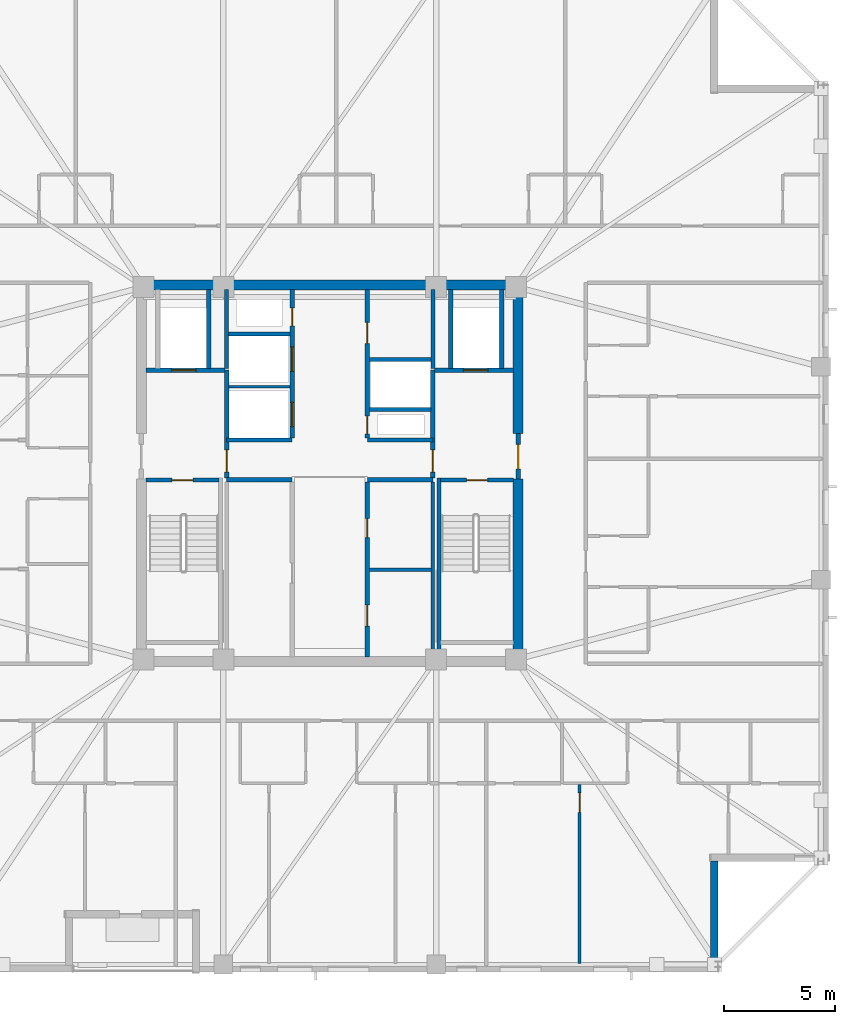
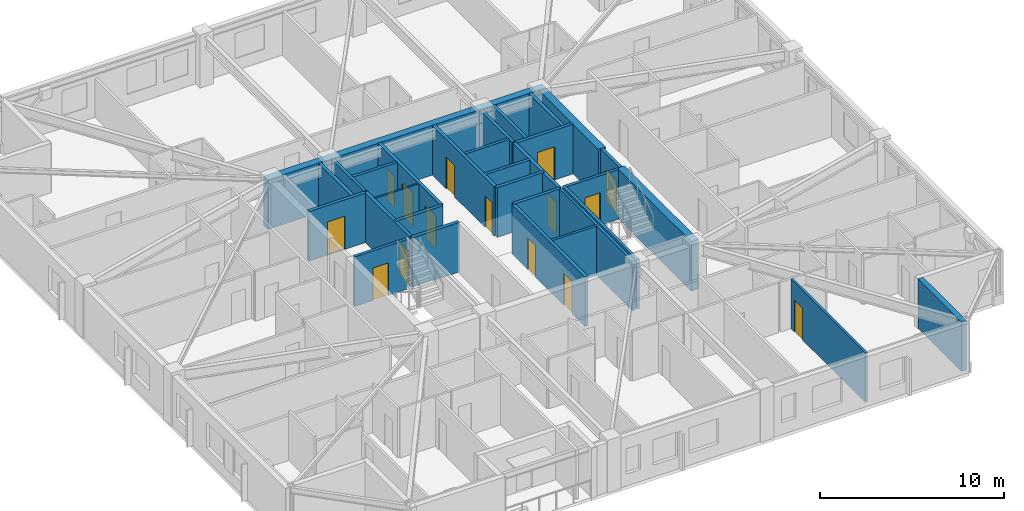
# One storey, part 9 of 17: 31 walls, 15 doors, 15 openings.
"""IFC4 building model written with IfcOpenShell, lengths in metres."""

import ifcopenshell
import ifcopenshell.guid

model = None  # the IFC model being written
_history = None  # IfcOwnerHistory: only IFC2X3 demands one
_inside = {}  # id of a spatial element -> (the spatial element, [elements in it])
_under = {}  # id of a project, library or spatial element -> (it, [spatial elements below it])
_declared = {}  # id of a project -> (the project, [libraries it declares])
_typed = {}  # id of a type object -> (the type object, [elements of that type])
_made_of = {}  # id of a material, layer set ... -> (it, [elements and type objects made of it])


def new_model(schema):
    """Start an empty IFC model of exactly this schema.

    Asked for "IFC4X3", IfcOpenShell would pick the latest addendum, in which some entities
    have other attributes; the version numbers below select the first issue.
    IFC2X3 requires an IfcOwnerHistory on every rooted entity: one is made here for all.
    """
    global model, _history
    if schema == "IFC4X3":
        model = ifcopenshell.file(schema_version=(4, 3, 0, 0))
    else:
        model = ifcopenshell.file(schema=schema)
    _inside.clear()
    _under.clear()
    _declared.clear()
    _typed.clear()
    _made_of.clear()
    _history = None
    if model.schema == "IFC2X3":
        org = make("IfcOrganization", Name="unknown")
        user = make(
            "IfcPersonAndOrganization",
            ThePerson=make("IfcPerson", FamilyName="unknown"),
            TheOrganization=org,
        )
        app = make(
            "IfcApplication",
            ApplicationDeveloper=org,
            Version="unknown",
            ApplicationFullName="unknown",
            ApplicationIdentifier="unknown",
        )
        _history = make(
            "IfcOwnerHistory",
            OwningUser=user,
            OwningApplication=app,
            ChangeAction="ADDED",
            CreationDate=0,
        )
    return model


def make(cls, **values):
    """One entity of the class cls with the attributes given. An attribute that is None is left unset."""
    return model.create_entity(
        cls, **{name: value for name, value in values.items() if value is not None}
    )


def rooted(cls, **values):
    """An entity with a GlobalId (a new one), such as an element, a storey or a relation."""
    return make(cls, GlobalId=ifcopenshell.guid.new(), OwnerHistory=_history, **values)


def si_unit(unit_type, name, prefix=None):
    """IfcSIUnit, for example si_unit("LENGTHUNIT", "METRE", prefix="MILLI")."""
    return make("IfcSIUnit", UnitType=unit_type, Prefix=prefix, Name=name)


def assignment(units):
    """IfcUnitAssignment: the units of a project."""
    return None if units is None else make("IfcUnitAssignment", Units=units)


def point(xyz):
    """IfcCartesianPoint."""
    return None if xyz is None else make("IfcCartesianPoint", Coordinates=xyz)


def direction(xyz):
    """IfcDirection."""
    return None if xyz is None else make("IfcDirection", DirectionRatios=xyz)


def frame(location, z_axis=None, x_axis=None):
    """IfcAxis2Placement3D, a coordinate frame: its origin and axes. An axis left out is left unset."""
    return make(
        "IfcAxis2Placement3D",
        Location=point(location),
        Axis=direction(z_axis),
        RefDirection=direction(x_axis),
    )


def frame_2d(location, x_axis=None):
    """IfcAxis2Placement2D, a coordinate frame in the plane: its origin and x axis."""
    return make(
        "IfcAxis2Placement2D", Location=point(location), RefDirection=direction(x_axis)
    )


def origin():
    """The frame at (0, 0, 0) with its axes left unset."""
    return frame((0.0, 0.0, 0.0))


def place(relative_to, where):
    """IfcLocalPlacement: puts the frame where relative to a parent placement (None: the world)."""
    return make(
        "IfcLocalPlacement", PlacementRelTo=relative_to, RelativePlacement=where
    )


def context(
    kind, dimensions, precision=None, world=None, true_north=None, identifier=None
):
    """IfcGeometricRepresentationContext, for example the 3D "Model" context."""
    return make(
        "IfcGeometricRepresentationContext",
        ContextIdentifier=identifier,
        ContextType=kind,
        CoordinateSpaceDimension=dimensions,
        Precision=precision,
        WorldCoordinateSystem=world,
        TrueNorth=true_north,
    )


def subcontext(parent, identifier, kind, view, scale=None):
    """IfcGeometricRepresentationSubContext, for example "Body" below "Model"."""
    return make(
        "IfcGeometricRepresentationSubContext",
        ContextIdentifier=identifier,
        ContextType=kind,
        ParentContext=parent,
        TargetScale=scale,
        TargetView=view,
    )


def project(units=None, contexts=None):
    """IfcProject with its units and contexts."""
    return rooted(
        "IfcProject",
        Name="project",
        RepresentationContexts=contexts,
        UnitsInContext=assignment(units),
    )


def spatial(cls, under=None, at=None, **own):
    """A site, building, storey or space (cls), placed at a placement, below another one or the project."""
    s = rooted(cls, ObjectPlacement=at, **own)
    if under is not None:
        _under.setdefault(under.id(), (under, []))[1].append(s)
    return s


def profile(cls, at=None, kind="AREA", **sizes):
    """A parametric profile (cls). Its sizes go by their IFC names, for example OverallWidth=200.0."""
    return make(cls, ProfileType=kind, Position=at, **sizes)


def rectangle(**sizes):
    """IfcRectangleProfileDef."""
    return profile("IfcRectangleProfileDef", **sizes)


def extrude(swept, where, along, depth):
    """IfcExtrudedAreaSolid: the profile swept, set in the frame where, extruded along a direction by depth."""
    return make(
        "IfcExtrudedAreaSolid",
        SweptArea=swept,
        Position=where,
        ExtrudedDirection=direction(along),
        Depth=depth,
    )


def shape(context_of_items, identifier, shape_type, items):
    """IfcShapeRepresentation: the items that make up one representation, for example the "Body"."""
    return make(
        "IfcShapeRepresentation",
        ContextOfItems=context_of_items,
        RepresentationIdentifier=identifier,
        RepresentationType=shape_type,
        Items=items,
    )


def material(Name=None, Category=None):
    """IfcMaterial."""
    return make("IfcMaterial", Name=Name, Category=Category)


def layer(
    of_material, thickness, ventilated=None, Name=None, Category=None, Priority=None
):
    """IfcMaterialLayer: one layer of a wall or slab, of a material (None: an air gap)."""
    return make(
        "IfcMaterialLayer",
        Material=of_material,
        LayerThickness=thickness,
        IsVentilated=ventilated,
        Name=Name,
        Category=Category,
        Priority=Priority,
    )


def layer_set(layers, Name=None):
    """IfcMaterialLayerSet."""
    return make("IfcMaterialLayerSet", MaterialLayers=layers, LayerSetName=Name)


def made_of(thing, what):
    """Note that an element or type object is made of a material, layer set ...; save() writes the relation."""
    if what is not None:
        _made_of.setdefault(what.id(), (what, []))[1].append(thing)
    return thing


def type_object(cls, material=None, **own):
    """A type object (cls), such as IfcWallType, which elements share."""
    return made_of(rooted(cls, **own), material)


def element(
    cls,
    number,
    at=None,
    inside=None,
    cuts=None,
    type_object=None,
    material=None,
    context=None,
    identifier="Body",
    shape_type=None,
    held_by="IfcProductDefinitionShape",
    body=None,
    shapes=None,
    **own,
):
    """One element of the class cls, such as IfcWall. Its Tag is "e" and its number.

    at: its placement. inside: the storey or other place that contains it. cuts: it is an
    opening in that element (IfcRelVoidsElement). A single representation is given by context,
    identifier, shape_type and body (its items); several are given by shapes. held_by: the class
    of the entity that holds the representations. save() writes the other relations.
    """
    e = rooted(cls, Tag="e%d" % number, ObjectPlacement=at, **own)
    if body is not None:
        shapes = [shape(context, identifier, shape_type, body)]
    if shapes is not None:
        e.Representation = make(held_by, Representations=shapes)
    if inside is not None:
        _inside.setdefault(inside.id(), (inside, []))[1].append(e)
    if cuts is not None:
        rooted(
            "IfcRelVoidsElement", RelatingBuildingElement=cuts, RelatedOpeningElement=e
        )
    if type_object is not None:
        _typed.setdefault(type_object.id(), (type_object, []))[1].append(e)
    return made_of(e, material)


def fill(opening, filler):
    """IfcRelFillsElement: the door or window that sits in an opening."""
    return rooted(
        "IfcRelFillsElement",
        RelatingOpeningElement=opening,
        RelatedBuildingElement=filler,
    )


def aggregate(whole, parts):
    """IfcRelAggregates: a whole, such as a stair, and the parts it consists of."""
    return rooted("IfcRelAggregates", RelatingObject=whole, RelatedObjects=parts)


def save(model, path):
    """Write the relations noted so far, then the file.

    IfcRelAggregates (storeys below a building ...), IfcRelContainedInSpatialStructure (elements
    in a storey), IfcRelDefinesByType, IfcRelAssociatesMaterial and IfcRelDeclares: one each for
    every whole, place, type object, material and project.
    """
    for whole, parts in _under.values():
        aggregate(whole, parts)
    for where, things in _inside.values():
        rooted(
            "IfcRelContainedInSpatialStructure",
            RelatedElements=things,
            RelatingStructure=where,
        )
    for kind, things in _typed.values():
        rooted("IfcRelDefinesByType", RelatedObjects=things, RelatingType=kind)
    for what, things in _made_of.values():
        rooted("IfcRelAssociatesMaterial", RelatedObjects=things, RelatingMaterial=what)
    for by, libraries in _declared.values():
        rooted("IfcRelDeclares", RelatingContext=by, RelatedDefinitions=libraries)
    model.write(path)


model = new_model("IFC4")

# Units and contexts
model_context = context("Model", 3, precision=1e-05, world=origin(), true_north=direction((0.0, 1.0)))
body_context = subcontext(model_context, "Body", "Model", "MODEL_VIEW")
ifc_project = project(units=[si_unit("LENGTHUNIT", "METRE"), si_unit("AREAUNIT", "SQUARE_METRE"), si_unit("VOLUMEUNIT", "CUBIC_METRE"), si_unit("PLANEANGLEUNIT", "RADIAN"), si_unit("MASSUNIT", "GRAM", prefix="KILO")], contexts=[model_context])

# Site, building, storey
site_placement = place(None, origin())
site = spatial("IfcSite", under=ifc_project, at=site_placement, CompositionType="ELEMENT")
building_placement = place(site_placement, origin())
building = spatial("IfcBuilding", under=site, at=building_placement, Name="Cairnveth Concourse Tower", CompositionType="ELEMENT")
storey_placement = place(building_placement, frame((0.0, 0.0, 262.0)))
storey = spatial("IfcBuildingStorey", under=building, at=storey_placement, Name="L72", CompositionType="ELEMENT", Elevation=262.0)

# Walls
ifc_material_1 = material(Name="Gypsum Plasterboard Partition", Category="gypsum")
ifc_layer_1 = layer(ifc_material_1, 0.159912109375)
ifc_layer_set_1 = layer_set([ifc_layer_1], Name="Gypsum Plasterboard Partition")
wall_type_1 = type_object("IfcWallType", Name="ACOUSTIC PARTY WALL 180", PredefinedType="PARTITIONING", material=ifc_layer_set_1)
wall_1_placement = place(storey_placement, frame((56.64990234375, 30.7099609375, 0.0), z_axis=(0.0, 0.0, 1.0), x_axis=(0.0, 1.0, 0.0)))
element("IfcWall", 1, at=wall_1_placement, inside=storey, type_object=wall_type_1, Name="Interior Wall IW-L72-026", PredefinedType="PARTITIONING", context=body_context, shape_type="SweptSolid", body=[
    extrude(rectangle(XDim=7.905029296875, YDim=0.159912109375, at=frame_2d((3.95263671875, 0.0))), origin(), (0.0, 0.0, 1.0), 3.2900390625),
])
wall_2_placement = place(storey_placement, frame((53.784912109375, 34.64990234375, 0.0), z_axis=(0.0, 0.0, 1.0), x_axis=(1.0, 0.0, 0.0)))
element("IfcWall", 2, at=wall_2_placement, inside=storey, type_object=wall_type_1, Name="Interior Wall IW-L72-027", PredefinedType="PARTITIONING", context=body_context, shape_type="SweptSolid", body=[
    extrude(rectangle(XDim=2.800048828125, YDim=0.159912109375, at=frame_2d((1.39990234375, 0.0))), origin(), (0.0, 0.0, 1.0), 3.2900390625),
])
ifc_material_2 = material(Name="Concrete N65 (65 MPa)", Category="concrete")
ifc_layer_2 = layer(ifc_material_2, 0.449951171875)
ifc_layer_set_2 = layer_set([ifc_layer_2], Name="Concrete N65 (65 MPa)")
wall_type_2 = type_object("IfcWallType", Name="CORE SHEAR WALL 450", PredefinedType="SHEAR", material=ifc_layer_set_2)
wall_3_placement = place(storey_placement, frame((43.27490234375, 47.5, 0.0), z_axis=(0.0, 0.0, 1.0), x_axis=(1.0, 0.0, 0.0)))
element("IfcWall", 3, at=wall_3_placement, inside=storey, type_object=wall_type_2, Name="Core North Shear Wall L72", PredefinedType="SHEAR", context=body_context, shape_type="SweptSolid", body=[
    extrude(rectangle(XDim=17.4501953125, YDim=0.449951171875, at=frame_2d((8.72509765625, 0.0))), origin(), (0.0, 0.0, 1.0), 3.2900390625),
])
wall_4_placement = place(storey_placement, frame((60.5, 30.715087890625, 0.0), z_axis=(0.0, 0.0, 1.0), x_axis=(0.0, 1.0, 0.0)))
element("IfcWall", 4, at=wall_4_placement, inside=storey, type_object=wall_type_2, Name="Core East Shear Wall S L72", PredefinedType="SHEAR", context=body_context, shape_type="SweptSolid", body=[
    extrude(rectangle(XDim=8.034912109375, YDim=0.449951171875, at=frame_2d((4.017578125, 0.0))), origin(), (0.0, 0.0, 1.0), 3.2900390625),
])
wall_5_placement = place(storey_placement, frame((60.5, 40.800048828125, 0.0), z_axis=(0.0, 0.0, 1.0), x_axis=(0.0, 1.0, 0.0)))
element("IfcWall", 5, at=wall_5_placement, inside=storey, type_object=wall_type_2, Name="Core East Shear Wall N L72", PredefinedType="SHEAR", context=body_context, shape_type="SweptSolid", body=[
    extrude(rectangle(XDim=6.48486328125, YDim=0.449951171875, at=frame_2d((3.242431640625, 0.0))), origin(), (0.0, 0.0, 1.0), 3.2900390625),
])
ifc_material_3 = material(Name="Concrete N50 (50 MPa)", Category="concrete")
ifc_layer_3 = layer(ifc_material_3, 0.179931640625)
ifc_layer_set_3 = layer_set([ifc_layer_3], Name="Concrete N50 (50 MPa)")
wall_type_3 = type_object("IfcWallType", Name="FIRE SHAFT WALL 180", PredefinedType="SOLIDWALL", material=ifc_layer_set_3)
wall_6_placement = place(storey_placement, frame((47.35009765625, 43.735107421875, 0.0), z_axis=(0.0, 0.0, 1.0), x_axis=(0.0, 1.0, 0.0)))
element("IfcWall", 6, at=wall_6_placement, inside=storey, type_object=wall_type_3, Name="Interior Wall IW-L72-028", PredefinedType="SOLIDWALL", context=body_context, shape_type="SweptSolid", body=[
    extrude(rectangle(XDim=3.554931640625, YDim=0.179931640625, at=frame_2d((1.77734375, 0.0))), origin(), (0.0, 0.0, 1.0), 3.2900390625),
])
wall_7_placement = place(storey_placement, frame((47.425048828125, 45.280029296875, 0.0), z_axis=(0.0, 0.0, 1.0), x_axis=(1.0, 0.0, 0.0)))
element("IfcWall", 7, at=wall_7_placement, inside=storey, type_object=wall_type_3, Name="Interior Wall IW-L72-030", PredefinedType="SOLIDWALL", context=body_context, shape_type="SweptSolid", body=[
    extrude(rectangle(XDim=2.7900390625, YDim=0.179931640625, at=frame_2d((1.39501953125, 0.0))), origin(), (0.0, 0.0, 1.0), 3.2900390625),
])
wall_8_placement = place(storey_placement, frame((56.64990234375, 43.735107421875, 0.0), z_axis=(0.0, 0.0, 1.0), x_axis=(0.0, 1.0, 0.0)))
element("IfcWall", 8, at=wall_8_placement, inside=storey, type_object=wall_type_3, Name="Interior Wall IW-L72-031", PredefinedType="SOLIDWALL", context=body_context, shape_type="SweptSolid", body=[
    extrude(rectangle(XDim=3.554931640625, YDim=0.179931640625, at=frame_2d((1.77734375, 0.0))), origin(), (0.0, 0.0, 1.0), 3.2900390625),
])
wall_9_placement = place(storey_placement, frame((53.784912109375, 41.8798828125, 0.0), z_axis=(0.0, 0.0, 1.0), x_axis=(1.0, 0.0, 0.0)))
element("IfcWall", 9, at=wall_9_placement, inside=storey, type_object=wall_type_3, Name="Interior Wall IW-L72-032", PredefinedType="SOLIDWALL", context=body_context, shape_type="SweptSolid", body=[
    extrude(rectangle(XDim=2.780029296875, YDim=0.179931640625, at=frame_2d((1.39013671875, 0.0))), origin(), (0.0, 0.0, 1.0), 3.2900390625),
])
wall_10_placement = place(storey_placement, frame((53.784912109375, 44.1201171875, 0.0), z_axis=(0.0, 0.0, 1.0), x_axis=(1.0, 0.0, 0.0)))
element("IfcWall", 10, at=wall_10_placement, inside=storey, type_object=wall_type_3, Name="Interior Wall IW-L72-033", PredefinedType="SOLIDWALL", context=body_context, shape_type="SweptSolid", body=[
    extrude(rectangle(XDim=2.7900390625, YDim=0.179931640625, at=frame_2d((1.39501953125, 0.0))), origin(), (0.0, 0.0, 1.0), 3.2900390625),
])

# Wall, opening, door
wall_11_placement = place(storey_placement, frame((43.715087890625, 38.68994140625, 0.0), z_axis=(0.0, 0.0, 1.0), x_axis=(1.0, 0.0, 0.0)))
wall_11 = element("IfcWall", 11, at=wall_11_placement, inside=storey, type_object=wall_type_3, Name="Stair ST-1 Shaft Wall NEAR L72", PredefinedType="SOLIDWALL", context=body_context, shape_type="SweptSolid", body=[
    extrude(rectangle(XDim=3.280029296875, YDim=0.179931640625, at=frame_2d((1.64013671875, 0.0))), origin(), (0.0, 0.0, 1.0), 3.2900390625),
])
opening_1_placement = place(wall_11_placement, frame((1.1650390625, 0.0, 0.0)))
opening_1 = element("IfcOpeningElement", 12, at=opening_1_placement, cuts=wall_11, Name="Opening ID12", PredefinedType="OPENING", context=body_context, shape_type="SweptSolid", body=[
    extrude(rectangle(XDim=0.949951171875, YDim=2.14990234375, at=frame_2d((0.47509765625, 1.074951171875))), frame((0.0, 0.099853515625, 0.0), z_axis=(0.0, -1.0, 0.0), x_axis=(1.0, 0.0, 0.0)), (0.0, 0.0, 1.0), 0.199951171875),
])
ifc_material_4 = material(Name="Steel Grade 350", Category="steel")
door_type_1 = type_object("IfcDoorType", Name="FIRE STAIR DOOR 950X2150", OperationType="NOTDEFINED", PredefinedType="DOOR", material=ifc_material_4)
door_1_placement = place(opening_1_placement, origin())
door_1 = element("IfcDoor", 13, at=door_1_placement, inside=storey, type_object=door_type_1, Name="Stair ST-1 Fire Door L72", OperationType="SINGLE_SWING_LEFT", OverallHeight=2.14990234375, OverallWidth=0.949951171875, PredefinedType="DOOR", context=body_context, shape_type="SweptSolid", body=[
    extrude(rectangle(XDim=0.949951171875, YDim=2.14990234375, at=frame_2d((0.47509765625, 1.074951171875))), frame((0.0, 0.02490234375, 0.0), z_axis=(0.0, -1.0, 0.0), x_axis=(1.0, 0.0, 0.0)), (0.0, 0.0, 1.0), 0.050048828125),
])
fill(opening_1, door_1)

wall_12_placement = place(storey_placement, frame((57.0048828125, 38.68994140625, 0.0), z_axis=(0.0, 0.0, 1.0), x_axis=(1.0, 0.0, 0.0)))
wall_12 = element("IfcWall", 14, at=wall_12_placement, inside=storey, type_object=wall_type_3, Name="Stair ST-2 Shaft Wall NEAR L72", PredefinedType="SOLIDWALL", context=body_context, shape_type="SweptSolid", body=[
    extrude(rectangle(XDim=3.280029296875, YDim=0.179931640625, at=frame_2d((1.64013671875, 0.0))), origin(), (0.0, 0.0, 1.0), 3.2900390625),
])
opening_2_placement = place(wall_12_placement, frame((1.1650390625, 0.0, 0.0)))
opening_2 = element("IfcOpeningElement", 15, at=opening_2_placement, cuts=wall_12, Name="Opening ID12", PredefinedType="OPENING", context=body_context, shape_type="SweptSolid", body=[
    extrude(rectangle(XDim=0.949951171875, YDim=2.14990234375, at=frame_2d((0.47509765625, 1.074951171875))), frame((0.0, 0.099853515625, 0.0), z_axis=(0.0, -1.0, 0.0), x_axis=(1.0, 0.0, 0.0)), (0.0, 0.0, 1.0), 0.199951171875),
])
door_2_placement = place(opening_2_placement, origin())
door_2 = element("IfcDoor", 16, at=door_2_placement, inside=storey, type_object=door_type_1, Name="Stair ST-2 Fire Door L72", OperationType="SINGLE_SWING_RIGHT", OverallHeight=2.14990234375, OverallWidth=0.949951171875, PredefinedType="DOOR", context=body_context, shape_type="SweptSolid", body=[
    extrude(rectangle(XDim=0.949951171875, YDim=2.14990234375, at=frame_2d((0.47509765625, 1.074951171875))), frame((0.0, 0.02490234375, 0.0), z_axis=(0.0, -1.0, 0.0), x_axis=(1.0, 0.0, 0.0)), (0.0, 0.0, 1.0), 0.050048828125),
])
fill(opening_2, door_2)

# Walls
wall_13_placement = place(storey_placement, frame((56.929931640625, 38.780029296875, 0.0), z_axis=(0.0, 0.0, 1.0), x_axis=(0.0, -1.0, 0.0)))
element("IfcWall", 17, at=wall_13_placement, inside=storey, type_object=wall_type_3, Name="Stair ST-2 Shaft Wall LEFT L72", PredefinedType="SOLIDWALL", context=body_context, shape_type="SweptSolid", body=[
    extrude(rectangle(XDim=8.067138671875, YDim=0.179931640625, at=frame_2d((4.03369140625, 0.0))), origin(), (0.0, 0.0, 1.0), 3.2900390625),
])
ifc_layer_4 = layer(ifc_material_3, 0.199951171875)
ifc_layer_set_4 = layer_set([ifc_layer_4], Name="Concrete N50 (50 MPa)")
wall_type_4 = type_object("IfcWallType", Name="FIRE SHAFT WALL 200", PredefinedType="SOLIDWALL", material=ifc_layer_set_4)
for number, where, z_axis, x_axis, name in (
    (18, (47.35009765625, 38.699951171875, 0.0), (0.0, 0.0, 1.0), (1.0, 0.0, 0.0), "Interior Wall IW-L72-007"),
    (19, (47.35009765625, 40.5, 0.0), (0.0, 0.0, 1.0), (1.0, 0.0, 0.0), "Interior Wall IW-L72-008"),
    (20, (53.699951171875, 38.699951171875, 0.0), (0.0, 0.0, 1.0), (1.0, 0.0, 0.0), "Interior Wall IW-L72-009"),
    (21, (53.699951171875, 40.5, 0.0), (0.0, 0.0, 1.0), (1.0, 0.0, 0.0), "Interior Wall IW-L72-010"),
):
    element("IfcWall", number, at=place(storey_placement, frame(where, z_axis=z_axis, x_axis=x_axis)), inside=storey, type_object=wall_type_4, Name=name, PredefinedType="SOLIDWALL", context=body_context, shape_type="SweptSolid", body=[
        extrude(rectangle(XDim=2.949951171875, YDim=0.199951171875, at=frame_2d((1.47509765625, 0.0))), origin(), (0.0, 0.0, 1.0), 3.2900390625),
    ])

# Wall, openings, doors
wall_14_placement = place(storey_placement, frame((53.699951171875, 30.7099609375, 0.0), z_axis=(0.0, 0.0, 1.0), x_axis=(0.0, 1.0, 0.0)))
wall_14 = element("IfcWall", 22, at=wall_14_placement, inside=storey, type_object=wall_type_4, Name="Interior Wall IW-L72-012", PredefinedType="SOLIDWALL", context=body_context, shape_type="SweptSolid", body=[
    extrude(rectangle(XDim=7.905029296875, YDim=0.199951171875, at=frame_2d((3.95263671875, 0.0))), origin(), (0.0, 0.0, 1.0), 3.2900390625),
])
opening_3_placement = place(wall_14_placement, frame((1.389892578125, 0.0, 0.0)))
opening_3 = element("IfcOpeningElement", 23, at=opening_3_placement, cuts=wall_14, Name="Opening ID25", PredefinedType="OPENING", context=body_context, shape_type="SweptSolid", body=[
    extrude(rectangle(XDim=0.949951171875, YDim=2.1201171875, at=frame_2d((0.47509765625, 1.06005859375))), frame((0.0, 0.10986328125, 0.0), z_axis=(0.0, -1.0, 0.0), x_axis=(1.0, 0.0, 0.0)), (0.0, 0.0, 1.0), 0.219970703125),
])
opening_4_placement = place(wall_14_placement, frame((5.389892578125, 0.0, 0.0)))
opening_4 = element("IfcOpeningElement", 24, at=opening_4_placement, cuts=wall_14, Name="Opening ID19", PredefinedType="OPENING", context=body_context, shape_type="SweptSolid", body=[
    extrude(rectangle(XDim=0.85009765625, YDim=2.1201171875, at=frame_2d((0.425048828125, 1.06005859375))), frame((0.0, 0.10986328125, 0.0), z_axis=(0.0, -1.0, 0.0), x_axis=(1.0, 0.0, 0.0)), (0.0, 0.0, 1.0), 0.219970703125),
])
door_type_2 = type_object("IfcDoorType", Name="CORE ACCESSIBLE FIRE DOOR 950X2120", OperationType="NOTDEFINED", PredefinedType="DOOR", material=ifc_material_4)
door_3_placement = place(opening_3_placement, origin())
door_3 = element("IfcDoor", 25, at=door_3_placement, inside=storey, type_object=door_type_2, Name="Sky WC Door L72", OperationType="SINGLE_SWING_RIGHT", OverallHeight=2.1201171875, OverallWidth=0.949951171875, PredefinedType="DOOR", context=body_context, shape_type="SweptSolid", body=[
    extrude(rectangle(XDim=0.949951171875, YDim=2.1201171875, at=frame_2d((0.47509765625, 1.06005859375))), frame((0.0, 0.02490234375, 0.0), z_axis=(0.0, -1.0, 0.0), x_axis=(1.0, 0.0, 0.0)), (0.0, 0.0, 1.0), 0.050048828125),
])
fill(opening_3, door_3)
door_type_3 = type_object("IfcDoorType", Name="CORE SERVICE DOOR 850X2100", OperationType="NOTDEFINED", PredefinedType="DOOR", material=ifc_material_4)
door_4_placement = place(opening_4_placement, origin())
door_4 = element("IfcDoor", 26, at=door_4_placement, inside=storey, type_object=door_type_3, Name="Janitor Door L72", OperationType="SINGLE_SWING_LEFT", OverallHeight=2.1201171875, OverallWidth=0.85009765625, PredefinedType="DOOR", context=body_context, shape_type="SweptSolid", body=[
    extrude(rectangle(XDim=0.85009765625, YDim=2.1201171875, at=frame_2d((0.425048828125, 1.06005859375))), frame((0.0, 0.02490234375, 0.0), z_axis=(0.0, -1.0, 0.0), x_axis=(1.0, 0.0, 0.0)), (0.0, 0.0, 1.0), 0.050048828125),
])
fill(opening_4, door_4)

wall_15_placement = place(storey_placement, frame((50.300048828125, 40.5849609375, 0.0), z_axis=(0.0, 0.0, 1.0), x_axis=(0.0, 1.0, 0.0)))
wall_15 = element("IfcWall", 27, at=wall_15_placement, inside=storey, type_object=wall_type_4, Name="Interior Wall IW-L72-013", PredefinedType="SOLIDWALL", context=body_context, shape_type="SweptSolid", body=[
    extrude(rectangle(XDim=6.705078125, YDim=0.199951171875, at=frame_2d((3.3525390625, 0.0))), origin(), (0.0, 0.0, 1.0), 3.2900390625),
])
opening_5_placement = place(wall_15_placement, frame((0.514892578125, 0.0, 0.0)))
opening_5 = element("IfcOpeningElement", 28, at=opening_5_placement, cuts=wall_15, Name="Opening LD-1", PredefinedType="OPENING", context=body_context, shape_type="SweptSolid", body=[
    extrude(rectangle(XDim=1.10009765625, YDim=2.199951171875, at=frame_2d((0.550048828125, 1.10009765625))), frame((0.0, 0.10986328125, 0.0), z_axis=(0.0, -1.0, 0.0), x_axis=(1.0, 0.0, 0.0)), (0.0, 0.0, 1.0), 0.219970703125),
])
opening_6_placement = place(wall_15_placement, frame((3.014892578125, 0.0, 0.0)))
opening_6 = element("IfcOpeningElement", 29, at=opening_6_placement, cuts=wall_15, Name="Opening LD-1", PredefinedType="OPENING", context=body_context, shape_type="SweptSolid", body=[
    extrude(rectangle(XDim=1.10009765625, YDim=2.199951171875, at=frame_2d((0.550048828125, 1.10009765625))), frame((0.0, 0.10986328125, 0.0), z_axis=(0.0, -1.0, 0.0), x_axis=(1.0, 0.0, 0.0)), (0.0, 0.0, 1.0), 0.219970703125),
])
opening_7_placement = place(wall_15_placement, frame((5.06494140625, 0.0, 0.0)))
opening_7 = element("IfcOpeningElement", 30, at=opening_7_placement, cuts=wall_15, Name="Opening ID24", PredefinedType="OPENING", context=body_context, shape_type="SweptSolid", body=[
    extrude(rectangle(XDim=0.800048828125, YDim=2.080078125, at=frame_2d((0.39990234375, 1.0400390625))), frame((0.0, 0.10986328125, 0.0), z_axis=(0.0, -1.0, 0.0), x_axis=(1.0, 0.0, 0.0)), (0.0, 0.0, 1.0), 0.219970703125),
])
ifc_material_5 = material(Name="Architectural Bronze Anodised Aluminium 6063-T6", Category="aluminium")
door_type_4 = type_object("IfcDoorType", Name="LIFT LANDING DOOR 1100X2200", OperationType="SLIDING_TO_LEFT", PredefinedType="DOOR", material=ifc_material_5)
door_5_placement = place(opening_5_placement, origin())
door_5 = element("IfcDoor", 31, at=door_5_placement, inside=storey, type_object=door_type_4, Name="Lift PL7 Landing Door L72", OperationType="SLIDING_TO_LEFT", OverallHeight=2.199951171875, OverallWidth=1.10009765625, PredefinedType="DOOR", context=body_context, shape_type="SweptSolid", body=[
    extrude(rectangle(XDim=1.10009765625, YDim=2.199951171875, at=frame_2d((0.550048828125, 1.10009765625))), frame((0.0, 0.02490234375, 0.0), z_axis=(0.0, -1.0, 0.0), x_axis=(1.0, 0.0, 0.0)), (0.0, 0.0, 1.0), 0.050048828125),
])
fill(opening_5, door_5)
door_6_placement = place(opening_6_placement, origin())
door_6 = element("IfcDoor", 32, at=door_6_placement, inside=storey, type_object=door_type_4, Name="Lift PL8 Landing Door L72", OperationType="SLIDING_TO_LEFT", OverallHeight=2.199951171875, OverallWidth=1.10009765625, PredefinedType="DOOR", context=body_context, shape_type="SweptSolid", body=[
    extrude(rectangle(XDim=1.10009765625, YDim=2.199951171875, at=frame_2d((0.550048828125, 1.10009765625))), frame((0.0, 0.02490234375, 0.0), z_axis=(0.0, -1.0, 0.0), x_axis=(1.0, 0.0, 0.0)), (0.0, 0.0, 1.0), 0.050048828125),
])
fill(opening_6, door_6)
door_type_5 = type_object("IfcDoorType", Name="RISER ACCESS DOOR 800X2100", OperationType="NOTDEFINED", PredefinedType="DOOR", material=ifc_material_4)
door_7_placement = place(opening_7_placement, origin())
door_7 = element("IfcDoor", 33, at=door_7_placement, inside=storey, type_object=door_type_5, Name="NW Electrical Riser Access Door L72", OperationType="SINGLE_SWING_RIGHT", OverallHeight=2.080078125, OverallWidth=0.800048828125, PredefinedType="DOOR", context=body_context, shape_type="SweptSolid", body=[
    extrude(rectangle(XDim=0.800048828125, YDim=2.080078125, at=frame_2d((0.39990234375, 1.0400390625))), frame((0.0, 0.02490234375, 0.0), z_axis=(0.0, -1.0, 0.0), x_axis=(1.0, 0.0, 0.0)), (0.0, 0.0, 1.0), 0.050048828125),
])
fill(opening_7, door_7)

wall_16_placement = place(storey_placement, frame((53.699951171875, 40.5849609375, 0.0), z_axis=(0.0, 0.0, 1.0), x_axis=(0.0, 1.0, 0.0)))
wall_16 = element("IfcWall", 34, at=wall_16_placement, inside=storey, type_object=wall_type_4, Name="Interior Wall IW-L72-014", PredefinedType="SOLIDWALL", context=body_context, shape_type="SweptSolid", body=[
    extrude(rectangle(XDim=6.705078125, YDim=0.199951171875, at=frame_2d((3.3525390625, 0.0))), origin(), (0.0, 0.0, 1.0), 3.2900390625),
])
opening_8_placement = place(wall_16_placement, frame((0.195068359375, 0.0, 0.0)))
opening_8 = element("IfcOpeningElement", 35, at=opening_8_placement, cuts=wall_16, Name="Opening ID24", PredefinedType="OPENING", context=body_context, shape_type="SweptSolid", body=[
    extrude(rectangle(XDim=0.800048828125, YDim=2.080078125, at=frame_2d((0.39990234375, 1.0400390625))), frame((0.0, 0.10986328125, 0.0), z_axis=(0.0, -1.0, 0.0), x_axis=(1.0, 0.0, 0.0)), (0.0, 0.0, 1.0), 0.219970703125),
])
opening_9_placement = place(wall_16_placement, frame((4.264892578125, 0.0, 0.0)))
opening_9 = element("IfcOpeningElement", 36, at=opening_9_placement, cuts=wall_16, Name="Opening ID25", PredefinedType="OPENING", context=body_context, shape_type="SweptSolid", body=[
    extrude(rectangle(XDim=0.949951171875, YDim=2.1201171875, at=frame_2d((0.47509765625, 1.06005859375))), frame((0.0, 0.10986328125, 0.0), z_axis=(0.0, -1.0, 0.0), x_axis=(1.0, 0.0, 0.0)), (0.0, 0.0, 1.0), 0.219970703125),
])
door_8_placement = place(opening_9_placement, origin())
door_8 = element("IfcDoor", 37, at=door_8_placement, inside=storey, type_object=door_type_2, Name="Core NE Accessible WC Door L72", OperationType="SINGLE_SWING_RIGHT", OverallHeight=2.1201171875, OverallWidth=0.949951171875, PredefinedType="DOOR", context=body_context, shape_type="SweptSolid", body=[
    extrude(rectangle(XDim=0.949951171875, YDim=2.1201171875, at=frame_2d((0.47509765625, 1.06005859375))), frame((0.0, 0.02490234375, 0.0), z_axis=(0.0, -1.0, 0.0), x_axis=(1.0, 0.0, 0.0)), (0.0, 0.0, 1.0), 0.050048828125),
])
fill(opening_9, door_8)
door_9_placement = place(opening_8_placement, origin())
door_9 = element("IfcDoor", 38, at=door_9_placement, inside=storey, type_object=door_type_5, Name="Hydraulic Riser Door L72", OperationType="SINGLE_SWING_LEFT", OverallHeight=2.080078125, OverallWidth=0.800048828125, PredefinedType="DOOR", context=body_context, shape_type="SweptSolid", body=[
    extrude(rectangle(XDim=0.800048828125, YDim=2.080078125, at=frame_2d((0.39990234375, 1.0400390625))), frame((0.0, 0.02490234375, 0.0), z_axis=(0.0, -1.0, 0.0), x_axis=(1.0, 0.0, 0.0)), (0.0, 0.0, 1.0), 0.050048828125),
])
fill(opening_8, door_9)

# Wall, opening, door
wall_17_placement = place(storey_placement, frame((47.35009765625, 38.784912109375, 0.0), z_axis=(0.0, 0.0, 1.0), x_axis=(0.0, 1.0, 0.0)))
wall_17 = element("IfcWall", 39, at=wall_17_placement, inside=storey, type_object=wall_type_4, Name="Interior Wall IW-L72-016", PredefinedType="SOLIDWALL", context=body_context, shape_type="SweptSolid", body=[
    extrude(rectangle(XDim=4.864990234375, YDim=0.199951171875, at=frame_2d((2.4326171875, 0.0))), origin(), (0.0, 0.0, 1.0), 3.2900390625),
])
opening_10_placement = place(wall_17_placement, frame((0.264892578125, 0.0, 0.0)))
opening_10 = element("IfcOpeningElement", 40, at=opening_10_placement, cuts=wall_17, Name="Opening ID07", PredefinedType="OPENING", context=body_context, shape_type="SweptSolid", body=[
    extrude(rectangle(XDim=1.0, YDim=2.14990234375, at=frame_2d((0.5, 1.074951171875))), frame((0.0, 0.10986328125, 0.0), z_axis=(0.0, -1.0, 0.0), x_axis=(1.0, 0.0, 0.0)), (0.0, 0.0, 1.0), 0.219970703125),
])
door_type_6 = type_object("IfcDoorType", Name="FIRE CORRIDOR DOOR 1000X2150", OperationType="NOTDEFINED", PredefinedType="DOOR", material=ifc_material_4)
door_10_placement = place(opening_10_placement, origin())
door_10 = element("IfcDoor", 41, at=door_10_placement, inside=storey, type_object=door_type_6, Name="FF Lobby West to Lift Lobby Door L72", OperationType="SINGLE_SWING_RIGHT", OverallHeight=2.14990234375, OverallWidth=1.0, PredefinedType="DOOR", context=body_context, shape_type="SweptSolid", body=[
    extrude(rectangle(XDim=1.0, YDim=2.14990234375, at=frame_2d((0.5, 1.074951171875))), frame((0.0, 0.02490234375, 0.0), z_axis=(0.0, -1.0, 0.0), x_axis=(1.0, 0.0, 0.0)), (0.0, 0.0, 1.0), 0.050048828125),
])
fill(opening_10, door_10)

wall_18_placement = place(storey_placement, frame((43.7099609375, 43.64990234375, 0.0), z_axis=(0.0, 0.0, 1.0), x_axis=(1.0, 0.0, 0.0)))
wall_18 = element("IfcWall", 42, at=wall_18_placement, inside=storey, type_object=wall_type_4, Name="Interior Wall IW-L72-017", PredefinedType="SOLIDWALL", context=body_context, shape_type="SweptSolid", body=[
    extrude(rectangle(XDim=3.554931640625, YDim=0.199951171875, at=frame_2d((1.77734375, 0.0))), origin(), (0.0, 0.0, 1.0), 3.2900390625),
])
opening_11_placement = place(wall_18_placement, frame((1.159912109375, 0.0, 0.0)))
opening_11 = element("IfcOpeningElement", 43, at=opening_11_placement, cuts=wall_18, Name="Opening LD-1", PredefinedType="OPENING", context=body_context, shape_type="SweptSolid", body=[
    extrude(rectangle(XDim=1.10009765625, YDim=2.199951171875, at=frame_2d((0.550048828125, 1.10009765625))), frame((0.0, 0.10986328125, 0.0), z_axis=(0.0, -1.0, 0.0), x_axis=(1.0, 0.0, 0.0)), (0.0, 0.0, 1.0), 0.219970703125),
])
door_11_placement = place(opening_11_placement, origin())
door_11 = element("IfcDoor", 44, at=door_11_placement, inside=storey, type_object=door_type_4, Name="Lift FFL1 Landing Door L72", OperationType="SLIDING_TO_LEFT", OverallHeight=2.199951171875, OverallWidth=1.10009765625, PredefinedType="DOOR", context=body_context, shape_type="SweptSolid", body=[
    extrude(rectangle(XDim=1.10009765625, YDim=2.199951171875, at=frame_2d((0.550048828125, 1.10009765625))), frame((0.0, 0.02490234375, 0.0), z_axis=(0.0, -1.0, 0.0), x_axis=(1.0, 0.0, 0.0)), (0.0, 0.0, 1.0), 0.050048828125),
])
fill(opening_11, door_11)

# Wall
wall_19_placement = place(storey_placement, frame((46.550048828125, 43.735107421875, 0.0), z_axis=(0.0, 0.0, 1.0), x_axis=(0.0, 1.0, 0.0)))
element("IfcWall", 45, at=wall_19_placement, inside=storey, type_object=wall_type_4, Name="Interior Wall IW-L72-018", PredefinedType="SOLIDWALL", context=body_context, shape_type="SweptSolid", body=[
    extrude(rectangle(XDim=3.554931640625, YDim=0.199951171875, at=frame_2d((1.77734375, 0.0))), origin(), (0.0, 0.0, 1.0), 3.2900390625),
])

# Wall, opening, door
wall_20_placement = place(storey_placement, frame((60.5, 38.75, 0.0), z_axis=(0.0, 0.0, 1.0), x_axis=(0.0, 1.0, 0.0)))
wall_20 = element("IfcWall", 46, at=wall_20_placement, inside=storey, type_object=wall_type_4, Name="Interior Wall IW-L72-020", PredefinedType="SOLIDWALL", context=body_context, shape_type="SweptSolid", body=[
    extrude(rectangle(XDim=2.050048828125, YDim=0.199951171875, at=frame_2d((1.02490234375, 0.0))), origin(), (0.0, 0.0, 1.0), 3.2900390625),
])
opening_12_placement = place(wall_20_placement, frame((0.449951171875, 0.0, 0.0)))
opening_12 = element("IfcOpeningElement", 47, at=opening_12_placement, cuts=wall_20, Name="Opening ID06", PredefinedType="OPENING", context=body_context, shape_type="SweptSolid", body=[
    extrude(rectangle(XDim=1.10009765625, YDim=2.14990234375, at=frame_2d((0.550048828125, 1.074951171875))), frame((0.0, 0.10986328125, 0.0), z_axis=(0.0, -1.0, 0.0), x_axis=(1.0, 0.0, 0.0)), (0.0, 0.0, 1.0), 0.219970703125),
])
door_type_7 = type_object("IfcDoorType", Name="FIRE CORRIDOR DOOR 1100X2150", OperationType="NOTDEFINED", PredefinedType="DOOR", material=ifc_material_4)
door_12_placement = place(opening_12_placement, origin())
door_12 = element("IfcDoor", 48, at=door_12_placement, inside=storey, type_object=door_type_7, Name="East Wing to FF Lobby Door L72", OperationType="SINGLE_SWING_RIGHT", OverallHeight=2.14990234375, OverallWidth=1.10009765625, PredefinedType="DOOR", context=body_context, shape_type="SweptSolid", body=[
    extrude(rectangle(XDim=1.10009765625, YDim=2.14990234375, at=frame_2d((0.550048828125, 1.074951171875))), frame((0.0, 0.02490234375, 0.0), z_axis=(0.0, -1.0, 0.0), x_axis=(1.0, 0.0, 0.0)), (0.0, 0.0, 1.0), 0.050048828125),
])
fill(opening_12, door_12)

wall_21_placement = place(storey_placement, frame((56.64990234375, 38.784912109375, 0.0), z_axis=(0.0, 0.0, 1.0), x_axis=(0.0, 1.0, 0.0)))
wall_21 = element("IfcWall", 49, at=wall_21_placement, inside=storey, type_object=wall_type_4, Name="Interior Wall IW-L72-021", PredefinedType="SOLIDWALL", context=body_context, shape_type="SweptSolid", body=[
    extrude(rectangle(XDim=4.864990234375, YDim=0.199951171875, at=frame_2d((2.4326171875, 0.0))), origin(), (0.0, 0.0, 1.0), 3.2900390625),
])
opening_13_placement = place(wall_21_placement, frame((0.264892578125, 0.0, 0.0)))
opening_13 = element("IfcOpeningElement", 50, at=opening_13_placement, cuts=wall_21, Name="Opening ID07", PredefinedType="OPENING", context=body_context, shape_type="SweptSolid", body=[
    extrude(rectangle(XDim=1.0, YDim=2.14990234375, at=frame_2d((0.5, 1.074951171875))), frame((0.0, 0.10986328125, 0.0), z_axis=(0.0, -1.0, 0.0), x_axis=(1.0, 0.0, 0.0)), (0.0, 0.0, 1.0), 0.219970703125),
])
door_13_placement = place(opening_13_placement, origin())
door_13 = element("IfcDoor", 51, at=door_13_placement, inside=storey, type_object=door_type_6, Name="FF Lobby East to Lift Lobby Door L72", OperationType="SINGLE_SWING_LEFT", OverallHeight=2.14990234375, OverallWidth=1.0, PredefinedType="DOOR", context=body_context, shape_type="SweptSolid", body=[
    extrude(rectangle(XDim=1.0, YDim=2.14990234375, at=frame_2d((0.5, 1.074951171875))), frame((0.0, 0.02490234375, 0.0), z_axis=(0.0, -1.0, 0.0), x_axis=(1.0, 0.0, 0.0)), (0.0, 0.0, 1.0), 0.050048828125),
])
fill(opening_13, door_13)

wall_22_placement = place(storey_placement, frame((56.735107421875, 43.64990234375, 0.0), z_axis=(0.0, 0.0, 1.0), x_axis=(1.0, 0.0, 0.0)))
wall_22 = element("IfcWall", 52, at=wall_22_placement, inside=storey, type_object=wall_type_4, Name="Interior Wall IW-L72-022", PredefinedType="SOLIDWALL", context=body_context, shape_type="SweptSolid", body=[
    extrude(rectangle(XDim=3.554931640625, YDim=0.199951171875, at=frame_2d((1.77734375, 0.0))), origin(), (0.0, 0.0, 1.0), 3.2900390625),
])
opening_14_placement = place(wall_22_placement, frame((1.294921875, 0.0, 0.0)))
opening_14 = element("IfcOpeningElement", 53, at=opening_14_placement, cuts=wall_22, Name="Opening LD-1", PredefinedType="OPENING", context=body_context, shape_type="SweptSolid", body=[
    extrude(rectangle(XDim=1.10009765625, YDim=2.199951171875, at=frame_2d((0.550048828125, 1.10009765625))), frame((0.0, 0.10986328125, 0.0), z_axis=(0.0, -1.0, 0.0), x_axis=(1.0, 0.0, 0.0)), (0.0, 0.0, 1.0), 0.219970703125),
])
door_14_placement = place(opening_14_placement, origin())
door_14 = element("IfcDoor", 54, at=door_14_placement, inside=storey, type_object=door_type_4, Name="Lift FFL2 Landing Door L72", OperationType="SLIDING_TO_LEFT", OverallHeight=2.199951171875, OverallWidth=1.10009765625, PredefinedType="DOOR", context=body_context, shape_type="SweptSolid", body=[
    extrude(rectangle(XDim=1.10009765625, YDim=2.199951171875, at=frame_2d((0.550048828125, 1.10009765625))), frame((0.0, 0.02490234375, 0.0), z_axis=(0.0, -1.0, 0.0), x_axis=(1.0, 0.0, 0.0)), (0.0, 0.0, 1.0), 0.050048828125),
])
fill(opening_14, door_14)

# Walls
for number, where, z_axis, x_axis, name in (
    (55, (57.449951171875, 43.735107421875, 0.0), (0.0, 0.0, 1.0), (0.0, 1.0, 0.0), "Interior Wall IW-L72-023"),
    (56, (59.75, 43.735107421875, 0.0), (0.0, 0.0, 1.0), (0.0, 1.0, 0.0), "Interior Wall IW-L72-024"),
):
    element("IfcWall", number, at=place(storey_placement, frame(where, z_axis=z_axis, x_axis=x_axis)), inside=storey, type_object=wall_type_4, Name=name, PredefinedType="SOLIDWALL", context=body_context, shape_type="SweptSolid", body=[
        extrude(rectangle(XDim=3.554931640625, YDim=0.199951171875, at=frame_2d((1.77734375, 0.0))), origin(), (0.0, 0.0, 1.0), 3.2900390625),
    ])

# Wall, opening, door
ifc_layer_5 = layer(ifc_material_1, 0.139892578125)
ifc_layer_set_5 = layer_set([ifc_layer_5], Name="Gypsum Plasterboard Partition")
wall_type_5 = type_object("IfcWallType", Name="GYPSUM STUD PARTITION 140", PredefinedType="PARTITIONING", material=ifc_layer_set_5)
wall_23_placement = place(storey_placement, frame((63.267578125, 16.8798828125, 0.0), z_axis=(0.0, 0.0, 1.0), x_axis=(0.0, 1.0, 0.0)))
wall_23 = element("IfcWall", 57, at=wall_23_placement, inside=storey, type_object=wall_type_5, Name="Interior Wall IW-L72-068", PredefinedType="PARTITIONING", context=body_context, shape_type="SweptSolid", body=[
    extrude(rectangle(XDim=8.087646484375, YDim=0.139892578125, at=frame_2d((4.0439453125, 0.0))), origin(), (0.0, 0.0, 1.0), 3.2900390625),
])
opening_15_placement = place(wall_23_placement, frame((6.827392578125, 0.0, 0.0)))
opening_15 = element("IfcOpeningElement", 58, at=opening_15_placement, cuts=wall_23, Name="Opening ID18", PredefinedType="OPENING", context=body_context, shape_type="SweptSolid", body=[
    extrude(rectangle(XDim=0.8798828125, YDim=2.10009765625, at=frame_2d((0.43994140625, 1.050048828125))), frame((0.0, 0.079833984375, 0.0), z_axis=(0.0, -1.0, 0.0), x_axis=(1.0, 0.0, 0.0)), (0.0, 0.0, 1.0), 0.159912109375),
])
ifc_material_6 = material(Name="Solid Core Hardwood Timber Leaf", Category="wood")
door_type_8 = type_object("IfcDoorType", Name="INTERIOR SINGLE DOOR 880X2100", OperationType="NOTDEFINED", PredefinedType="DOOR", material=ifc_material_6)
door_15_placement = place(opening_15_placement, origin())
door_15 = element("IfcDoor", 59, at=door_15_placement, inside=storey, type_object=door_type_8, Name="L72S3 Master Bedroom Door", OperationType="SINGLE_SWING_RIGHT", OverallHeight=2.10009765625, OverallWidth=0.8798828125, PredefinedType="DOOR", context=body_context, shape_type="SweptSolid", body=[
    extrude(rectangle(XDim=0.8798828125, YDim=2.10009765625, at=frame_2d((0.43994140625, 1.050048828125))), frame((0.0, 0.02490234375, 0.0), z_axis=(0.0, -1.0, 0.0), x_axis=(1.0, 0.0, 0.0)), (0.0, 0.0, 1.0), 0.050048828125),
])
fill(opening_15, door_15)

# Walls
ifc_layer_6 = layer(ifc_material_1, 0.110107421875)
ifc_layer_set_6 = layer_set([ifc_layer_6], Name="Gypsum Plasterboard Partition")
wall_type_6 = type_object("IfcWallType", Name="SHAFT DIVIDER WALL 140", PredefinedType="PARTITIONING", material=ifc_layer_set_6)
wall_24_placement = place(storey_placement, frame((47.43505859375, 42.89990234375, 0.0), z_axis=(0.0, 0.0, 1.0), x_axis=(1.0, 0.0, 0.0)))
element("IfcWall", 60, at=wall_24_placement, inside=storey, type_object=wall_type_6, Name="Interior Wall IW-L72-029", PredefinedType="PARTITIONING", context=body_context, shape_type="SweptSolid", body=[
    extrude(rectangle(XDim=2.780029296875, YDim=0.110107421875, at=frame_2d((1.39013671875, 0.0))), origin(), (0.0, 0.0, 1.0), 3.2900390625),
])
ifc_material_7 = material(Name="Melbourne Buff Fired Clay Brick Masonry", Category="masonry")
ifc_layer_7 = layer(ifc_material_7, 0.320068359375)
ifc_layer_set_7 = layer_set([ifc_layer_7], Name="Melbourne Buff Fired Clay Brick Masonry")
wall_type_7 = type_object("IfcWallType", Name="ZONE 3 BRICK PIER SPANDREL WALL 320", PredefinedType="SOLIDWALL", material=ifc_layer_set_7)
wall_25_placement = place(storey_placement, frame((69.340087890625, 21.52197265625, 0.0), z_axis=(0.0, 0.0, 1.0), x_axis=(0.0, -1.0, 0.0)))
element("IfcWall", 61, at=wall_25_placement, inside=storey, type_object=wall_type_7, Name="Exterior Wall EW-L72-S11", PredefinedType="SOLIDWALL", context=body_context, shape_type="SweptSolid", body=[
    extrude(rectangle(XDim=4.723876953125, YDim=0.320068359375, at=frame_2d((2.36181640625, 0.0))), origin(), (0.0, 0.0, 1.0), 3.2900390625),
])

save(model, "model.ifc")
